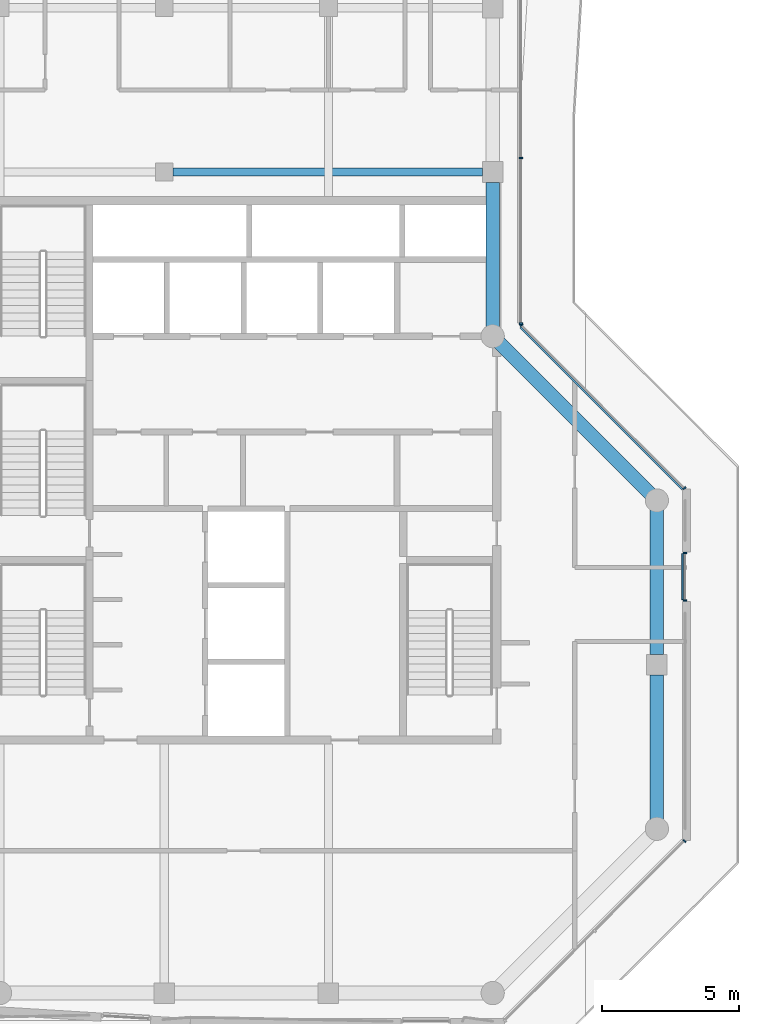
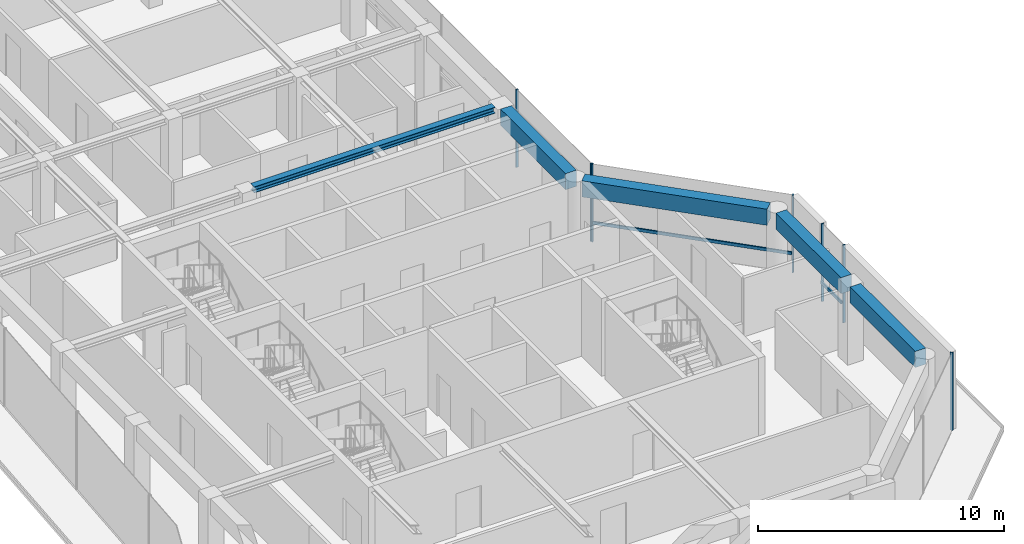
# One storey, part 5 of 18: 9 members, 5 beams, 4 elements without a shape of their own.
"""IFC4 building model written with IfcOpenShell, lengths in metres."""

from ifc_helpers import new_model, si_unit, direction, frame, origin, origin_2d, place, context, subcontext, project, spatial, rectangle, i_section, extrude, material, layer, layer_set, material_profile, profile_set, type_object, element, aggregate, save


model = new_model("IFC4")

# Units and contexts
model_context = context("Model", 3, precision=1e-05, world=origin(), true_north=direction((0.0, 1.0)))
body_context = subcontext(model_context, "Body", "Model", "MODEL_VIEW")
ifc_project = project(units=[si_unit("LENGTHUNIT", "METRE"), si_unit("AREAUNIT", "SQUARE_METRE"), si_unit("VOLUMEUNIT", "CUBIC_METRE"), si_unit("PLANEANGLEUNIT", "RADIAN"), si_unit("MASSUNIT", "GRAM", prefix="KILO")], contexts=[model_context])

# Site, building, storey
site_placement = place(None, origin())
site = spatial("IfcSite", under=ifc_project, at=site_placement, CompositionType="ELEMENT")
building_placement = place(site_placement, origin())
building = spatial("IfcBuilding", under=site, at=building_placement, Name="Welwitschia Terrace Campus", CompositionType="ELEMENT")
storey_placement = place(building_placement, frame((0.0, 0.0, 272.60009765625)))
storey = spatial("IfcBuildingStorey", under=building, at=storey_placement, Name="L60", CompositionType="ELEMENT", Elevation=272.60009765625)

# Beam
ifc_material_1 = material(Name="Steel S355", Category="steel")
ifc_material_profile_1 = material_profile(ifc_material_1, i_section(OverallWidth=0.300048828125, OverallDepth=0.300048828125, WebThickness=0.010986328125, FlangeThickness=0.01904296875, FilletRadius=0.027099609375, at=origin_2d()))
ifc_profile_set_1 = profile_set([ifc_material_profile_1], Name="Steel S355")
beam_type_1 = type_object("IfcBeamType", Name="Interior girder HE 300 B", PredefinedType="BEAM", material=ifc_profile_set_1)
beam_1_placement = place(storey_placement, frame((12.325439453125, 26.0, 3.699951171875), z_axis=(1.0, 0.0, 0.0), x_axis=(0.0, 1.0, 0.0)))
element("IfcBeam", 1, at=beam_1_placement, inside=storey, type_object=beam_type_1, Name="Girder GB6", PredefinedType="BEAM", context=body_context, shape_type="SweptSolid", body=[
    extrude(i_section(OverallWidth=0.300048828125, OverallDepth=0.300048828125, WebThickness=0.010986328125, FlangeThickness=0.01904296875, FilletRadius=0.027099609375, at=origin_2d()), origin(), (0.0, 0.0, 1.0), 11.30908203125),
])

# Curtain wall, member
ifc_material_2 = material(Name="Bronze anodised aluminium", Category="aluminium")
ifc_layer = layer(ifc_material_2, 0.1201171875)
ifc_layer_set = layer_set([ifc_layer], Name="Bronze anodised aluminium")
curtain_wall_type = type_object("IfcCurtainWallType", Name="Curtain wall CW2 tower 6000", PredefinedType="NOTDEFINED", material=ifc_layer_set)
curtain_wall_1_placement = place(storey_placement, origin())
curtain_wall_1 = element("IfcCurtainWall", 2, at=curtain_wall_1_placement, inside=storey, type_object=curtain_wall_type, Name="CW L60.4.0", PredefinedType="NOTDEFINED")
ifc_material_3 = material(Name="Bronze anodised aluminium", Category="aluminium")
ifc_material_profile_2 = material_profile(ifc_material_3, rectangle(XDim=0.1201171875, YDim=0.06005859375, at=origin_2d()))
ifc_profile_set_2 = profile_set([ifc_material_profile_2], Name="Bronze anodised aluminium")
member_type_1 = type_object("IfcMemberType", Name="Mullion 60x120", PredefinedType="MULLION", material=ifc_profile_set_2)
member_1_placement = place(storey_placement, frame((31.0087890625, 1.55224609375, 0.0), z_axis=(0.0, 0.0, 1.0), x_axis=(-0.707106781187, 0.707106781187, 0.0)))
member_1 = element("IfcMember", 3, at=member_1_placement, type_object=member_type_1, Name="Mullion L60.4.0.2", PredefinedType="MULLION", context=body_context, shape_type="SweptSolid", body=[
    extrude(rectangle(XDim=0.1201171875, YDim=0.06005859375, at=origin_2d()), origin(), (0.0, 0.0, 1.0), 3.849853515625),
])
aggregate(curtain_wall_1, [member_1])

# Curtain wall, members
curtain_wall_2_placement = place(storey_placement, origin())
curtain_wall_2 = element("IfcCurtainWall", 4, at=curtain_wall_2_placement, inside=storey, type_object=curtain_wall_type, Name="CW L60.5.S0", PredefinedType="NOTDEFINED")
member_2_placement = place(storey_placement, frame((31.030029296875, 10.34326171875, 0.0), z_axis=(0.0, 0.0, 1.0), x_axis=(-1.0, 0.0, 0.0)))
member_2 = element("IfcMember", 5, at=member_2_placement, type_object=member_type_1, Name="Mullion L60.5.S0.0", PredefinedType="MULLION", context=body_context, shape_type="SweptSolid", body=[
    extrude(rectangle(XDim=0.1201171875, YDim=0.06005859375, at=origin_2d()), origin(), (0.0, 0.0, 1.0), 3.849853515625),
])
member_3_placement = place(storey_placement, frame((31.030029296875, 12.083251953125, 0.0), z_axis=(0.0, 0.0, 1.0), x_axis=(-1.0, 0.0, 0.0)))
member_3 = element("IfcMember", 6, at=member_3_placement, type_object=member_type_1, Name="Mullion L60.5.S0.1", PredefinedType="MULLION", context=body_context, shape_type="SweptSolid", body=[
    extrude(rectangle(XDim=0.1201171875, YDim=0.06005859375, at=origin_2d()), origin(), (0.0, 0.0, 1.0), 3.849853515625),
])

curtain_wall_3_placement = place(storey_placement, origin())
curtain_wall_3 = element("IfcCurtainWall", 7, at=curtain_wall_3_placement, inside=storey, type_object=curtain_wall_type, Name="CW L60.6.0", PredefinedType="NOTDEFINED")
member_4_placement = place(storey_placement, frame((31.0087890625, 14.44775390625, 0.0), z_axis=(0.0, 0.0, 1.0), x_axis=(-0.707106781187, -0.707106781187, 0.0)))
member_4 = element("IfcMember", 8, at=member_4_placement, type_object=member_type_1, Name="Mullion L60.6.0.0", PredefinedType="MULLION", context=body_context, shape_type="SweptSolid", body=[
    extrude(rectangle(XDim=0.1201171875, YDim=0.06005859375, at=origin_2d()), origin(), (0.0, 0.0, 1.0), 3.849853515625),
])
member_5_placement = place(storey_placement, frame((25.05126953125, 20.405517578125, 0.0), z_axis=(0.0, 0.0, 1.0), x_axis=(-0.707106781187, -0.707106781187, 0.0)))
member_5 = element("IfcMember", 9, at=member_5_placement, type_object=member_type_1, Name="Mullion L60.6.0.1", PredefinedType="MULLION", context=body_context, shape_type="SweptSolid", body=[
    extrude(rectangle(XDim=0.1201171875, YDim=0.06005859375, at=origin_2d()), origin(), (0.0, 0.0, 1.0), 3.849853515625),
])

curtain_wall_4_placement = place(storey_placement, origin())
curtain_wall_4 = element("IfcCurtainWall", 10, at=curtain_wall_4_placement, inside=storey, type_object=curtain_wall_type, Name="CW L60.7.0", PredefinedType="NOTDEFINED")
member_6_placement = place(storey_placement, frame((25.030029296875, 20.45654296875, 0.0), z_axis=(0.0, 0.0, 1.0), x_axis=(-1.0, 0.0, 0.0)))
member_6 = element("IfcMember", 11, at=member_6_placement, type_object=member_type_1, Name="Mullion L60.7.0.0", PredefinedType="MULLION", context=body_context, shape_type="SweptSolid", body=[
    extrude(rectangle(XDim=0.1201171875, YDim=0.06005859375, at=origin_2d()), origin(), (0.0, 0.0, 1.0), 3.849853515625),
])
member_7_placement = place(storey_placement, frame((25.030029296875, 26.512939453125, 0.0), z_axis=(0.0, 0.0, 1.0), x_axis=(-1.0, 0.0, 0.0)))
member_7 = element("IfcMember", 12, at=member_7_placement, type_object=member_type_1, Name="Mullion L60.7.0.1", PredefinedType="MULLION", context=body_context, shape_type="SweptSolid", body=[
    extrude(rectangle(XDim=0.1201171875, YDim=0.06005859375, at=origin_2d()), origin(), (0.0, 0.0, 1.0), 3.849853515625),
])
aggregate(curtain_wall_4, [member_6, member_7])

# Beams
ifc_material_4 = material(Name="Concrete C50/60", Category="concrete")
ifc_material_profile_3 = material_profile(ifc_material_4, rectangle(XDim=0.5, YDim=0.800048828125, at=origin_2d()))
ifc_profile_set_3 = profile_set([ifc_material_profile_3], Name="Concrete C50/60")
beam_type_2 = type_object("IfcBeamType", Name="Ring spandrel 500x800", PredefinedType="SPANDREL", material=ifc_profile_set_3)
for number, where, z_axis, x_axis, name in (
    (13, (30.0, 2.344482421875, 3.449951171875), (0.0, 1.0, 0.0), (-1.0, 0.0, 0.0), "Spandrel SP4"),
    (14, (30.0, 8.37548828125, 3.449951171875), (0.0, 1.0, 0.0), (-1.0, 0.0, 0.0), "Spandrel SP4"),
):
    element("IfcBeam", number, at=place(storey_placement, frame(where, z_axis=z_axis, x_axis=x_axis)), inside=storey, type_object=beam_type_2, Name=name, PredefinedType="SPANDREL", context=body_context, shape_type="SweptSolid", body=[
        extrude(rectangle(XDim=0.5, YDim=0.800048828125, at=origin_2d()), origin(), (0.0, 0.0, 1.0), 5.280029296875),
    ])
beam_2_placement = place(storey_placement, frame((29.75634765625, 14.24365234375, 3.449951171875), z_axis=(-0.707106781187, 0.707106781187, 0.0), x_axis=(-0.707106781187, -0.707106781187, 0.0)))
element("IfcBeam", 15, at=beam_2_placement, inside=storey, type_object=beam_type_2, Name="Spandrel SP4", PredefinedType="SPANDREL", context=body_context, shape_type="SweptSolid", body=[
    extrude(rectangle(XDim=0.5, YDim=0.800048828125, at=origin_2d()), origin(), (0.0, 0.0, 1.0), 7.796142578125),
])
beam_3_placement = place(storey_placement, frame((24.0, 20.344482421875, 3.449951171875), z_axis=(0.0, 1.0, 0.0), x_axis=(-1.0, 0.0, 0.0)))
element("IfcBeam", 16, at=beam_3_placement, inside=storey, type_object=beam_type_2, Name="Spandrel SP4", PredefinedType="SPANDREL", context=body_context, shape_type="SweptSolid", body=[
    extrude(rectangle(XDim=0.5, YDim=0.800048828125, at=origin_2d()), origin(), (0.0, 0.0, 1.0), 5.280029296875),
])

# Member
ifc_material_5 = material(Name="Bronze anodised aluminium", Category="aluminium")
ifc_material_profile_4 = material_profile(ifc_material_5, rectangle(XDim=0.06005859375, YDim=0.14990234375, at=origin_2d()))
ifc_profile_set_4 = profile_set([ifc_material_profile_4], Name="Bronze anodised aluminium")
member_type_2 = type_object("IfcMemberType", Name="Transom 60x150", PredefinedType="USERDEFINED", material=ifc_profile_set_4)
member_8_placement = place(storey_placement, frame((30.93994140625, 10.373291015625, 1.0), z_axis=(0.0, 1.0, 0.0), x_axis=(-1.0, 0.0, 0.0)))
member_8 = element("IfcMember", 17, at=member_8_placement, type_object=member_type_2, Name="Transom L60.5.S0", ObjectType="TRANSOM", PredefinedType="USERDEFINED", context=body_context, shape_type="SweptSolid", body=[
    extrude(rectangle(XDim=0.06005859375, YDim=0.14990234375, at=origin_2d()), origin(), (0.0, 0.0, 1.0), 1.679931640625),
])

aggregate(curtain_wall_2, [member_2, member_3, member_8])

member_9_placement = place(storey_placement, frame((30.923828125, 14.405517578125, 1.0), z_axis=(-0.707106781187, 0.707106781187, 0.0), x_axis=(-0.707106781187, -0.707106781187, 0.0)))
member_9 = element("IfcMember", 18, at=member_9_placement, type_object=member_type_2, Name="Transom L60.6.0", ObjectType="TRANSOM", PredefinedType="USERDEFINED", context=body_context, shape_type="SweptSolid", body=[
    extrude(rectangle(XDim=0.06005859375, YDim=0.14990234375, at=origin_2d()), origin(), (0.0, 0.0, 1.0), 8.365234375),
])

aggregate(curtain_wall_3, [member_4, member_5, member_9])

save(model, "model.ifc")
